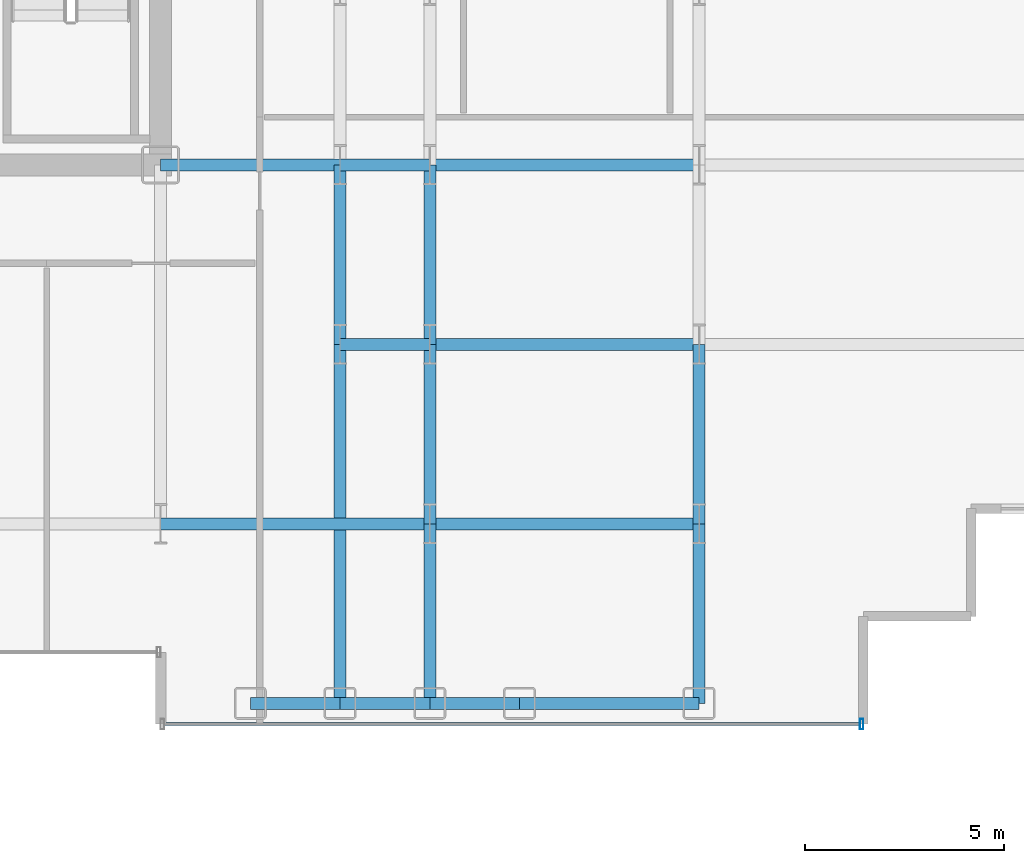
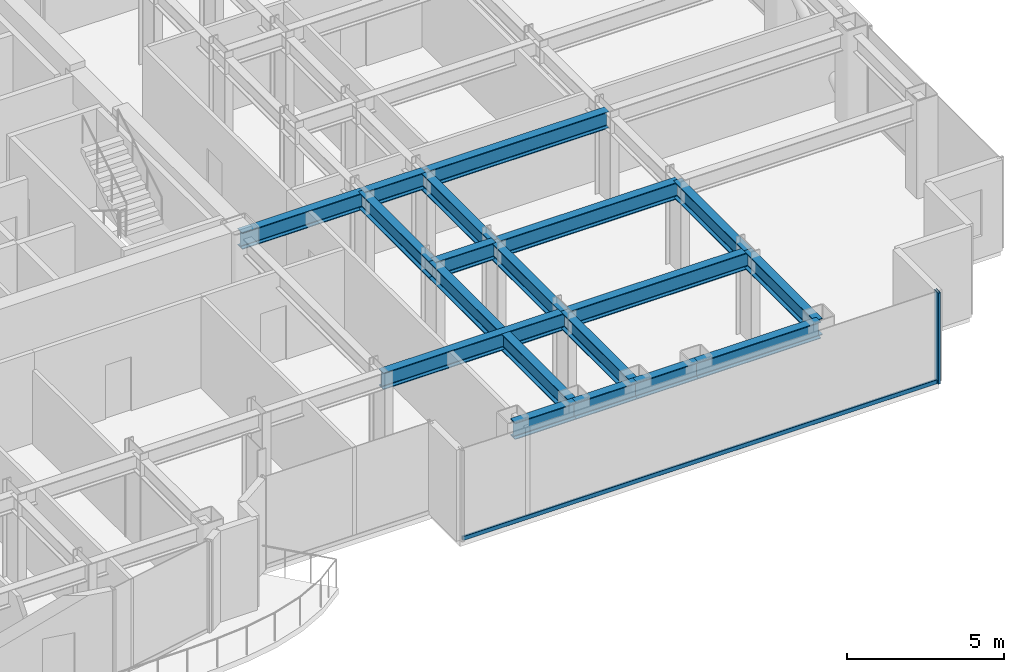
# One storey, part 9 of 29: 18 beams, 2 members, 1 element without a shape of its own.
"""IFC4 building model written with IfcOpenShell, lengths in metres."""

from ifc_helpers import new_model, si_unit, direction, frame, origin, origin_2d, place, context, subcontext, project, spatial, hollow_rectangle, i_section, extrude, source, transform, mapped, material, layer, layer_set, material_profile, profile_set, type_object, element, aggregate, save


model = new_model("IFC4")

# Units and contexts
model_context = context("Model", 3, precision=1e-05, world=origin(), true_north=direction((0.0, 1.0)))
body_context = subcontext(model_context, "Body", "Model", "MODEL_VIEW")
ifc_project = project(units=[si_unit("LENGTHUNIT", "METRE"), si_unit("AREAUNIT", "SQUARE_METRE"), si_unit("VOLUMEUNIT", "CUBIC_METRE"), si_unit("PLANEANGLEUNIT", "RADIAN"), si_unit("MASSUNIT", "GRAM", prefix="KILO")], contexts=[model_context])

# Site, building, storey
site_placement = place(None, origin())
site = spatial("IfcSite", under=ifc_project, at=site_placement, CompositionType="ELEMENT")
building_placement = place(site_placement, origin())
building = spatial("IfcBuilding", under=site, at=building_placement, Name="Nefas-Gora Pilgrimage Tower", CompositionType="ELEMENT")
storey_placement = place(building_placement, frame((0.0, 0.0, 113.60009765625)))
storey = spatial("IfcBuildingStorey", under=building, at=storey_placement, Name="L27", CompositionType="ELEMENT", Elevation=113.60009765625)

# Beams
ifc_material_1 = material(Name="Steel S355", Category="steel")
ifc_material_profile_1 = material_profile(ifc_material_1, i_section(OverallWidth=0.300048828125, OverallDepth=0.64990234375, WebThickness=0.01611328125, FlangeThickness=0.031005859375, FilletRadius=0.027099609375, at=origin_2d()), Name="HEB 650")
ifc_profile_set_1 = profile_set([ifc_material_profile_1], Name="Steel S355")
beam_type_1 = type_object("IfcBeamType", Name="BM-SPN-HEB500", PredefinedType="SPANDREL", material=ifc_profile_set_1)
shared_shape_1 = source(origin(), body_context, "Body", "SweptSolid", [
    extrude(i_section(OverallWidth=0.300048828125, OverallDepth=0.64990234375, WebThickness=0.01611328125, FlangeThickness=0.031005859375, FilletRadius=0.027099609375, at=origin_2d()), origin(), (0.0, 0.0, 1.0), 4.5),
])
beam_1_placement = place(storey_placement, frame((20.25, -22.5, 3.224853515625), z_axis=(1.0, 0.0, 0.0), x_axis=(0.0, 1.0, 0.0)))
element("IfcBeam", 1, at=beam_1_placement, inside=storey, type_object=beam_type_1, Name="L27 SP-02 beam", PredefinedType="SPANDREL", context=body_context, shape_type="MappedRepresentation", body=[
    mapped(shared_shape_1, transform((0.0, 0.0, 0.0), x_axis=(1.0, 0.0, 0.0), y_axis=(0.0, 1.0, 0.0), z_axis=(0.0, 0.0, 1.0), scale=1.0)),
])
ifc_material_profile_2 = material_profile(ifc_material_1, i_section(OverallWidth=0.300048828125, OverallDepth=0.64990234375, WebThickness=0.01611328125, FlangeThickness=0.031005859375, FilletRadius=0.027099609375, at=origin_2d()), Name="HEB 650")
ifc_profile_set_2 = profile_set([ifc_material_profile_2], Name="Steel S355")
beam_type_2 = type_object("IfcBeamType", Name="BM-GIR-HEB650", PredefinedType="BEAM", material=ifc_profile_set_2)
shared_shape_2 = source(origin(), body_context, "Body", "SweptSolid", [
    extrude(i_section(OverallWidth=0.300048828125, OverallDepth=0.64990234375, WebThickness=0.01611328125, FlangeThickness=0.031005859375, FilletRadius=0.027099609375, at=origin_2d()), origin(), (0.0, 0.0, 1.0), 9.0),
])
beam_2_placement = place(storey_placement, frame((15.75, -22.5, 3.224853515625), z_axis=(0.0, 1.0, 0.0), x_axis=(-1.0, 0.0, 0.0)))
element("IfcBeam", 2, at=beam_2_placement, inside=storey, type_object=beam_type_2, Name="L27 G-03 beam", PredefinedType="BEAM", context=body_context, shape_type="MappedRepresentation", body=[
    mapped(shared_shape_2, transform((0.0, 0.0, 0.0), x_axis=(1.0, 0.0, 0.0), y_axis=(0.0, 1.0, 0.0), z_axis=(0.0, 0.0, 1.0), scale=1.0)),
])
shared_shape_3 = source(origin(), body_context, "Body", "SweptSolid", [
    extrude(i_section(OverallWidth=0.300048828125, OverallDepth=0.64990234375, WebThickness=0.01611328125, FlangeThickness=0.031005859375, FilletRadius=0.027099609375, at=origin_2d()), origin(), (0.0, 0.0, 1.0), 4.5),
])
for number, where, z_axis, x_axis, name in (
    (3, (11.25, -9.0, 3.224853515625), (1.0, 0.0, 0.0), (0.0, 1.0, 0.0), "L27 G-03 beam"),
    (4, (15.75, -13.5, 3.224853515625), (0.0, 1.0, 0.0), (-1.0, 0.0, 0.0), "L27 G-03 beam"),
    (5, (18.0, -22.5, 3.224853515625), (0.0, 1.0, 0.0), (-1.0, 0.0, 0.0), "L27 G-03 beam"),
    (6, (18.0, -18.0, 3.224853515625), (0.0, 1.0, 0.0), (-1.0, 0.0, 0.0), "L27 G-03 beam"),
    (7, (18.0, -13.5, 3.224853515625), (0.0, 1.0, 0.0), (-1.0, 0.0, 0.0), "L27 G-03 beam"),
    (8, (24.75, -22.5, 3.224853515625), (0.0, 1.0, 0.0), (-1.0, 0.0, 0.0), "L27 G-03 beam"),
    (9, (24.75, -18.0, 3.224853515625), (0.0, 1.0, 0.0), (-1.0, 0.0, 0.0), "L27 G-03 beam"),
):
    element("IfcBeam", number, at=place(storey_placement, frame(where, z_axis=z_axis, x_axis=x_axis)), inside=storey, type_object=beam_type_2, Name=name, PredefinedType="BEAM", context=body_context, shape_type="MappedRepresentation", body=[
        mapped(shared_shape_3, transform((0.0, 0.0, 0.0), x_axis=(1.0, 0.0, 0.0), y_axis=(0.0, 1.0, 0.0), z_axis=(0.0, 0.0, 1.0), scale=1.0)),
    ])
shared_shape_4 = source(origin(), body_context, "Body", "SweptSolid", [
    extrude(i_section(OverallWidth=0.300048828125, OverallDepth=0.64990234375, WebThickness=0.01611328125, FlangeThickness=0.031005859375, FilletRadius=0.027099609375, at=origin_2d()), origin(), (0.0, 0.0, 1.0), 6.75),
])
for number, where, z_axis, x_axis, name in (
    (10, (11.25, -18.0, 3.224853515625), (1.0, 0.0, 0.0), (0.0, 1.0, 0.0), "L27 G-03 beam"),
    (11, (18.0, -18.0, 3.224853515625), (1.0, 0.0, 0.0), (0.0, 1.0, 0.0), "L27 G-03 beam"),
    (12, (18.0, -13.5, 3.224853515625), (1.0, 0.0, 0.0), (0.0, 1.0, 0.0), "L27 G-03 beam"),
    (13, (18.0, -9.0, 3.224853515625), (1.0, 0.0, 0.0), (0.0, 1.0, 0.0), "L27 G-03 beam"),
):
    element("IfcBeam", number, at=place(storey_placement, frame(where, z_axis=z_axis, x_axis=x_axis)), inside=storey, type_object=beam_type_2, Name=name, PredefinedType="BEAM", context=body_context, shape_type="MappedRepresentation", body=[
        mapped(shared_shape_4, transform((0.0, 0.0, 0.0), x_axis=(1.0, 0.0, 0.0), y_axis=(0.0, 1.0, 0.0), z_axis=(0.0, 0.0, 1.0), scale=1.0)),
    ])
shared_shape_5 = source(origin(), body_context, "Body", "SweptSolid", [
    extrude(i_section(OverallWidth=0.300048828125, OverallDepth=0.64990234375, WebThickness=0.01611328125, FlangeThickness=0.031005859375, FilletRadius=0.027099609375, at=origin_2d()), origin(), (0.0, 0.0, 1.0), 2.25),
])
for number, where, z_axis, x_axis, name in (
    (14, (13.5, -22.5, 3.224853515625), (1.0, 0.0, 0.0), (0.0, 1.0, 0.0), "L27 SP-02 beam"),
    (15, (15.75, -22.5, 3.224853515625), (1.0, 0.0, 0.0), (0.0, 1.0, 0.0), "L27 SP-02 beam"),
    (16, (18.0, -22.5, 3.224853515625), (1.0, 0.0, 0.0), (0.0, 1.0, 0.0), "L27 SP-02 beam"),
):
    element("IfcBeam", number, at=place(storey_placement, frame(where, z_axis=z_axis, x_axis=x_axis)), inside=storey, type_object=beam_type_1, Name=name, PredefinedType="SPANDREL", context=body_context, shape_type="MappedRepresentation", body=[
        mapped(shared_shape_5, transform((0.0, 0.0, 0.0), x_axis=(1.0, 0.0, 0.0), y_axis=(0.0, 1.0, 0.0), z_axis=(0.0, 0.0, 1.0), scale=1.0)),
    ])
shared_shape_6 = source(origin(), body_context, "Body", "SweptSolid", [
    extrude(i_section(OverallWidth=0.300048828125, OverallDepth=0.64990234375, WebThickness=0.01611328125, FlangeThickness=0.031005859375, FilletRadius=0.027099609375, at=origin_2d()), origin(), (0.0, 0.0, 1.0), 2.25),
])
for number, where, z_axis, x_axis, name in (
    (17, (15.75, -13.5, 3.224853515625), (1.0, 0.0, 0.0), (0.0, 1.0, 0.0), "L27 G-03 beam"),
    (18, (15.75, -9.0, 3.224853515625), (1.0, 0.0, 0.0), (0.0, 1.0, 0.0), "L27 G-03 beam"),
):
    element("IfcBeam", number, at=place(storey_placement, frame(where, z_axis=z_axis, x_axis=x_axis)), inside=storey, type_object=beam_type_2, Name=name, PredefinedType="BEAM", context=body_context, shape_type="MappedRepresentation", body=[
        mapped(shared_shape_6, transform((0.0, 0.0, 0.0), x_axis=(1.0, 0.0, 0.0), y_axis=(0.0, 1.0, 0.0), z_axis=(0.0, 0.0, 1.0), scale=1.0)),
    ])

# Curtain wall, members
ifc_material_2 = material(Name="Dark ceramic-fritted solar-control aluminium-glass curtain wall", Category="aluminium")
ifc_layer = layer(ifc_material_2, 0.219970703125)
ifc_layer_set = layer_set([ifc_layer], Name="Dark ceramic-fritted solar-control aluminium-glass curtain wall")
curtain_wall_type = type_object("IfcCurtainWallType", Name="CW-SYS-2", PredefinedType="NOTDEFINED", material=ifc_layer_set)
curtain_wall_placement = place(storey_placement, origin())
curtain_wall = element("IfcCurtainWall", 19, at=curtain_wall_placement, inside=storey, type_object=curtain_wall_type, Name="L27 Unitised Curtain Wall CW2", PredefinedType="NOTDEFINED")
ifc_material_3 = material(Name="Anodised architectural aluminium", Category="aluminium")
ifc_material_profile_3 = material_profile(ifc_material_3, hollow_rectangle(XDim=0.080078125, YDim=0.159912109375, WallThickness=0.00439453125, InnerFilletRadius=0.00439453125, OuterFilletRadius=0.009033203125, at=origin_2d()), Name="ALU TRANSOM 80x160")
ifc_profile_set_3 = profile_set([ifc_material_profile_3], Name="Anodised architectural aluminium")
member_type_1 = type_object("IfcMemberType", Name="CWM-TRN-2", PredefinedType="USERDEFINED", material=ifc_profile_set_3)
shared_shape_7 = source(origin(), body_context, "Body", "SweptSolid", [
    extrude(hollow_rectangle(XDim=0.080078125, YDim=0.159912109375, WallThickness=0.00439453125, InnerFilletRadius=0.00439453125, OuterFilletRadius=0.009033203125, at=origin_2d()), origin(), (0.0, 0.0, 1.0), 17.43994140625),
])
member_1_placement = place(storey_placement, frame((11.340087890625, -23.02001953125, 0.0498046875), z_axis=(1.0, 0.0, 0.0), x_axis=(0.0, 1.0, 0.0)))
member_1 = element("IfcMember", 20, at=member_1_placement, type_object=member_type_1, Name="CW2 Spandrel Transom", ObjectType="TRANSOM", PredefinedType="USERDEFINED", context=body_context, shape_type="MappedRepresentation", body=[
    mapped(shared_shape_7, transform((0.0, 0.0, 0.0), x_axis=(1.0, 0.0, 0.0), y_axis=(0.0, 1.0, 0.0), z_axis=(0.0, 0.0, 1.0), scale=1.0)),
])
ifc_material_profile_4 = material_profile(ifc_material_3, hollow_rectangle(XDim=0.090087890625, YDim=0.260009765625, WallThickness=0.006103515625, InnerFilletRadius=0.006103515625, OuterFilletRadius=0.011962890625, at=origin_2d()), Name="ALU MULLION 90x260")
ifc_profile_set_4 = profile_set([ifc_material_profile_4], Name="Anodised architectural aluminium")
member_type_2 = type_object("IfcMemberType", Name="CWM-MUL-2", PredefinedType="MULLION", material=ifc_profile_set_4)
shared_shape_8 = source(origin(), body_context, "Body", "SweptSolid", [
    extrude(hollow_rectangle(XDim=0.090087890625, YDim=0.260009765625, WallThickness=0.006103515625, InnerFilletRadius=0.006103515625, OuterFilletRadius=0.011962890625, at=origin_2d()), origin(), (0.0, 0.0, 1.0), 3.5498046875),
])
member_2_placement = place(storey_placement, frame((28.824951171875, -23.02001953125, 0.0), z_axis=(0.0, 0.0, 1.0), x_axis=(1.0, 0.0, 0.0)))
member_2 = element("IfcMember", 21, at=member_2_placement, type_object=member_type_2, Name="CW2 Mullion 2", PredefinedType="MULLION", context=body_context, shape_type="MappedRepresentation", body=[
    mapped(shared_shape_8, transform((0.0, 0.0, 0.0), x_axis=(1.0, 0.0, 0.0), y_axis=(0.0, 1.0, 0.0), z_axis=(0.0, 0.0, 1.0), scale=1.0)),
])
aggregate(curtain_wall, [member_2, member_1])

save(model, "model.ifc")
